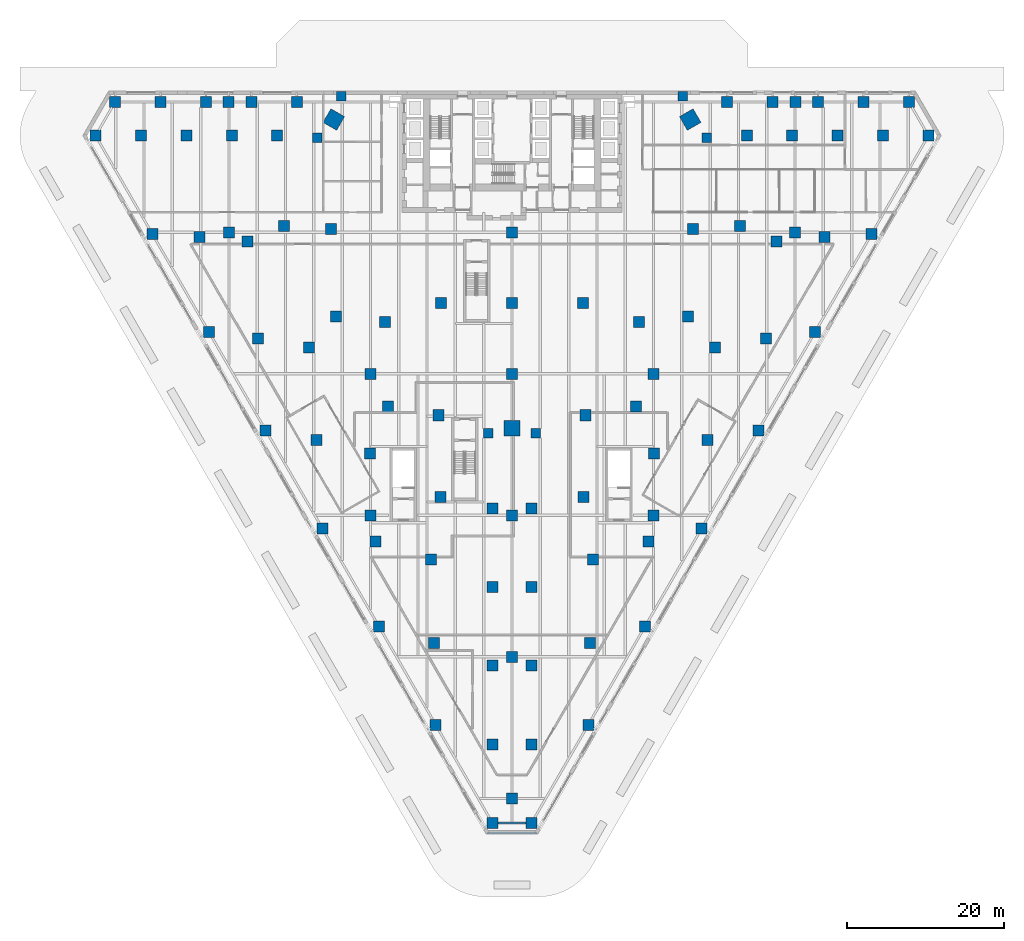
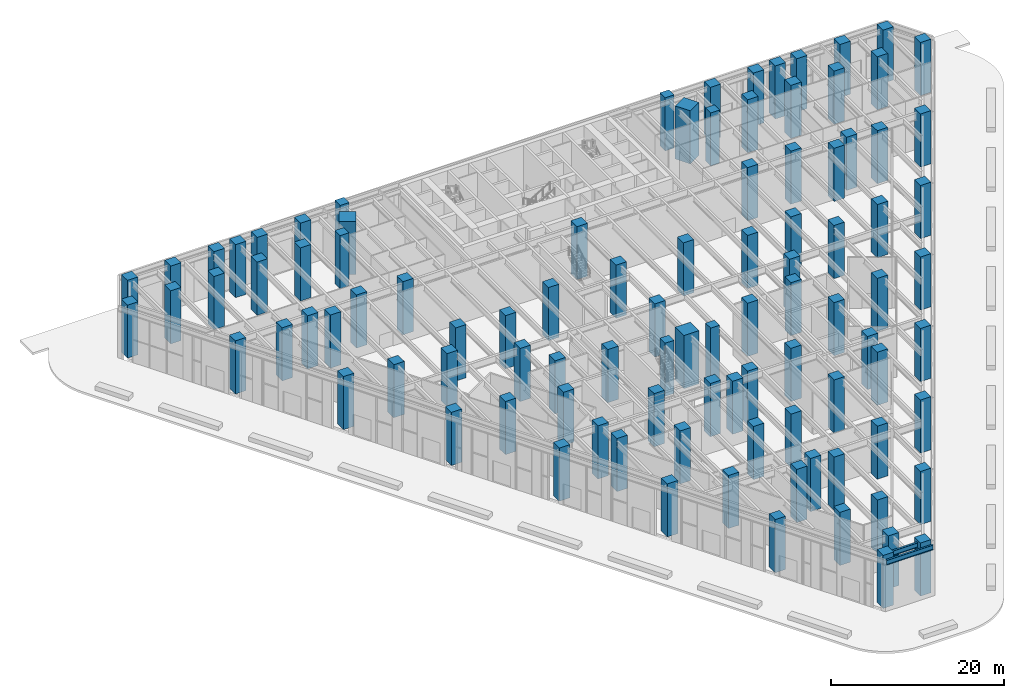
# One storey, part 1 of 37: 99 columns, 2 beams.
"""IFC4 building model written with IfcOpenShell, lengths in metres."""

import ifcopenshell
import ifcopenshell.guid

model = None  # the IFC model being written
_history = None  # IfcOwnerHistory: only IFC2X3 demands one
_inside = {}  # id of a spatial element -> (the spatial element, [elements in it])
_under = {}  # id of a project, library or spatial element -> (it, [spatial elements below it])
_declared = {}  # id of a project -> (the project, [libraries it declares])
_typed = {}  # id of a type object -> (the type object, [elements of that type])
_made_of = {}  # id of a material, layer set ... -> (it, [elements and type objects made of it])


def new_model(schema):
    """Start an empty IFC model of exactly this schema.

    Asked for "IFC4X3", IfcOpenShell would pick the latest addendum, in which some entities
    have other attributes; the version numbers below select the first issue.
    IFC2X3 requires an IfcOwnerHistory on every rooted entity: one is made here for all.
    """
    global model, _history
    if schema == "IFC4X3":
        model = ifcopenshell.file(schema_version=(4, 3, 0, 0))
    else:
        model = ifcopenshell.file(schema=schema)
    _inside.clear()
    _under.clear()
    _declared.clear()
    _typed.clear()
    _made_of.clear()
    _history = None
    if model.schema == "IFC2X3":
        org = make("IfcOrganization", Name="unknown")
        user = make(
            "IfcPersonAndOrganization",
            ThePerson=make("IfcPerson", FamilyName="unknown"),
            TheOrganization=org,
        )
        app = make(
            "IfcApplication",
            ApplicationDeveloper=org,
            Version="unknown",
            ApplicationFullName="unknown",
            ApplicationIdentifier="unknown",
        )
        _history = make(
            "IfcOwnerHistory",
            OwningUser=user,
            OwningApplication=app,
            ChangeAction="ADDED",
            CreationDate=0,
        )
    return model


def make(cls, **values):
    """One entity of the class cls with the attributes given. An attribute that is None is left unset."""
    return model.create_entity(
        cls, **{name: value for name, value in values.items() if value is not None}
    )


def rooted(cls, **values):
    """An entity with a GlobalId (a new one), such as an element, a storey or a relation."""
    return make(cls, GlobalId=ifcopenshell.guid.new(), OwnerHistory=_history, **values)


def si_unit(unit_type, name, prefix=None):
    """IfcSIUnit, for example si_unit("LENGTHUNIT", "METRE", prefix="MILLI")."""
    return make("IfcSIUnit", UnitType=unit_type, Prefix=prefix, Name=name)


def assignment(units):
    """IfcUnitAssignment: the units of a project."""
    return None if units is None else make("IfcUnitAssignment", Units=units)


def point(xyz):
    """IfcCartesianPoint."""
    return None if xyz is None else make("IfcCartesianPoint", Coordinates=xyz)


def direction(xyz):
    """IfcDirection."""
    return None if xyz is None else make("IfcDirection", DirectionRatios=xyz)


def frame(location, z_axis=None, x_axis=None):
    """IfcAxis2Placement3D, a coordinate frame: its origin and axes. An axis left out is left unset."""
    return make(
        "IfcAxis2Placement3D",
        Location=point(location),
        Axis=direction(z_axis),
        RefDirection=direction(x_axis),
    )


def frame_2d(location, x_axis=None):
    """IfcAxis2Placement2D, a coordinate frame in the plane: its origin and x axis."""
    return make(
        "IfcAxis2Placement2D", Location=point(location), RefDirection=direction(x_axis)
    )


def origin():
    """The frame at (0, 0, 0) with its axes left unset."""
    return frame((0.0, 0.0, 0.0))


def origin_2d():
    """The frame at (0, 0) in the plane with its x axis left unset."""
    return frame_2d((0.0, 0.0))


def place(relative_to, where):
    """IfcLocalPlacement: puts the frame where relative to a parent placement (None: the world)."""
    return make(
        "IfcLocalPlacement", PlacementRelTo=relative_to, RelativePlacement=where
    )


def context(
    kind, dimensions, precision=None, world=None, true_north=None, identifier=None
):
    """IfcGeometricRepresentationContext, for example the 3D "Model" context."""
    return make(
        "IfcGeometricRepresentationContext",
        ContextIdentifier=identifier,
        ContextType=kind,
        CoordinateSpaceDimension=dimensions,
        Precision=precision,
        WorldCoordinateSystem=world,
        TrueNorth=true_north,
    )


def subcontext(parent, identifier, kind, view, scale=None):
    """IfcGeometricRepresentationSubContext, for example "Body" below "Model"."""
    return make(
        "IfcGeometricRepresentationSubContext",
        ContextIdentifier=identifier,
        ContextType=kind,
        ParentContext=parent,
        TargetScale=scale,
        TargetView=view,
    )


def project(units=None, contexts=None):
    """IfcProject with its units and contexts."""
    return rooted(
        "IfcProject",
        Name="project",
        RepresentationContexts=contexts,
        UnitsInContext=assignment(units),
    )


def spatial(cls, under=None, at=None, **own):
    """A site, building, storey or space (cls), placed at a placement, below another one or the project."""
    s = rooted(cls, ObjectPlacement=at, **own)
    if under is not None:
        _under.setdefault(under.id(), (under, []))[1].append(s)
    return s


def profile(cls, at=None, kind="AREA", **sizes):
    """A parametric profile (cls). Its sizes go by their IFC names, for example OverallWidth=200.0."""
    return make(cls, ProfileType=kind, Position=at, **sizes)


def rectangle(**sizes):
    """IfcRectangleProfileDef."""
    return profile("IfcRectangleProfileDef", **sizes)


def i_section(**sizes):
    """IfcIShapeProfileDef."""
    return profile("IfcIShapeProfileDef", **sizes)


def extrude(swept, where, along, depth):
    """IfcExtrudedAreaSolid: the profile swept, set in the frame where, extruded along a direction by depth."""
    return make(
        "IfcExtrudedAreaSolid",
        SweptArea=swept,
        Position=where,
        ExtrudedDirection=direction(along),
        Depth=depth,
    )


def shape(context_of_items, identifier, shape_type, items):
    """IfcShapeRepresentation: the items that make up one representation, for example the "Body"."""
    return make(
        "IfcShapeRepresentation",
        ContextOfItems=context_of_items,
        RepresentationIdentifier=identifier,
        RepresentationType=shape_type,
        Items=items,
    )


def material(Name=None, Category=None):
    """IfcMaterial."""
    return make("IfcMaterial", Name=Name, Category=Category)


def material_profile(
    of_material, cross_section, Name=None, Category=None, Priority=None
):
    """IfcMaterialProfile: a cross section and its material."""
    return make(
        "IfcMaterialProfile",
        Name=Name,
        Material=of_material,
        Profile=cross_section,
        Priority=Priority,
        Category=Category,
    )


def profile_set(profiles, Name=None, composite=None):
    """IfcMaterialProfileSet."""
    return make(
        "IfcMaterialProfileSet",
        Name=Name,
        MaterialProfiles=profiles,
        CompositeProfile=composite,
    )


def made_of(thing, what):
    """Note that an element or type object is made of a material, layer set ...; save() writes the relation."""
    if what is not None:
        _made_of.setdefault(what.id(), (what, []))[1].append(thing)
    return thing


def type_object(cls, material=None, **own):
    """A type object (cls), such as IfcWallType, which elements share."""
    return made_of(rooted(cls, **own), material)


def element(
    cls,
    number,
    at=None,
    inside=None,
    cuts=None,
    type_object=None,
    material=None,
    context=None,
    identifier="Body",
    shape_type=None,
    held_by="IfcProductDefinitionShape",
    body=None,
    shapes=None,
    **own,
):
    """One element of the class cls, such as IfcWall. Its Tag is "e" and its number.

    at: its placement. inside: the storey or other place that contains it. cuts: it is an
    opening in that element (IfcRelVoidsElement). A single representation is given by context,
    identifier, shape_type and body (its items); several are given by shapes. held_by: the class
    of the entity that holds the representations. save() writes the other relations.
    """
    e = rooted(cls, Tag="e%d" % number, ObjectPlacement=at, **own)
    if body is not None:
        shapes = [shape(context, identifier, shape_type, body)]
    if shapes is not None:
        e.Representation = make(held_by, Representations=shapes)
    if inside is not None:
        _inside.setdefault(inside.id(), (inside, []))[1].append(e)
    if cuts is not None:
        rooted(
            "IfcRelVoidsElement", RelatingBuildingElement=cuts, RelatedOpeningElement=e
        )
    if type_object is not None:
        _typed.setdefault(type_object.id(), (type_object, []))[1].append(e)
    return made_of(e, material)


def aggregate(whole, parts):
    """IfcRelAggregates: a whole, such as a stair, and the parts it consists of."""
    return rooted("IfcRelAggregates", RelatingObject=whole, RelatedObjects=parts)


def save(model, path):
    """Write the relations noted so far, then the file.

    IfcRelAggregates (storeys below a building ...), IfcRelContainedInSpatialStructure (elements
    in a storey), IfcRelDefinesByType, IfcRelAssociatesMaterial and IfcRelDeclares: one each for
    every whole, place, type object, material and project.
    """
    for whole, parts in _under.values():
        aggregate(whole, parts)
    for where, things in _inside.values():
        rooted(
            "IfcRelContainedInSpatialStructure",
            RelatedElements=things,
            RelatingStructure=where,
        )
    for kind, things in _typed.values():
        rooted("IfcRelDefinesByType", RelatedObjects=things, RelatingType=kind)
    for what, things in _made_of.values():
        rooted("IfcRelAssociatesMaterial", RelatedObjects=things, RelatingMaterial=what)
    for by, libraries in _declared.values():
        rooted("IfcRelDeclares", RelatingContext=by, RelatedDefinitions=libraries)
    model.write(path)


model = new_model("IFC4")

# Units and contexts
model_context = context("Model", 3, precision=1e-05, world=origin(), true_north=direction((0.0, 1.0)))
body_context = subcontext(model_context, "Body", "Model", "MODEL_VIEW")
ifc_project = project(units=[si_unit("LENGTHUNIT", "METRE"), si_unit("AREAUNIT", "SQUARE_METRE"), si_unit("VOLUMEUNIT", "CUBIC_METRE"), si_unit("PLANEANGLEUNIT", "RADIAN"), si_unit("MASSUNIT", "GRAM", prefix="KILO")], contexts=[model_context])

# Site, building, storey
site_placement = place(None, origin())
site = spatial("IfcSite", under=ifc_project, at=site_placement, CompositionType="ELEMENT")
building_placement = place(site_placement, origin())
building = spatial("IfcBuilding", under=site, at=building_placement, Name="Aloe Facet Convention Tower", CompositionType="ELEMENT")
storey_placement = place(building_placement, origin())
storey = spatial("IfcBuildingStorey", under=building, at=storey_placement, Name="L00", CompositionType="ELEMENT", Elevation=0.0)

# Columns
ifc_material_1 = material(Name="Concrete C60/75", Category="concrete")
ifc_material_profile_1 = material_profile(ifc_material_1, rectangle(XDim=1.39990234375, YDim=1.39990234375, at=origin_2d()), Name="SF-PC-1400")
ifc_profile_set_1 = profile_set([ifc_material_profile_1], Name="Concrete C60/75")
column_type_1 = type_object("IfcColumnType", Name="SF-PC-1400", PredefinedType="COLUMN", material=ifc_profile_set_1)
for number, where, z_axis, x_axis, name in (
    (1, (89.0, 108.0, 0.0), (0.0, 0.0, 1.0), (1.0, 0.0, 0.0), "Podium column PC-10D"),
    (2, (98.0, 99.0, 0.0), (0.0, 0.0, 1.0), (1.0, 0.0, 0.0), "Podium column PC-11E"),
    (3, (98.0, 81.0, 0.0), (0.0, 0.0, 1.0), (1.0, 0.0, 0.0), "Podium column PC-11G"),
    (4, (116.0, 117.0, 0.0), (0.0, 0.0, 1.0), (1.0, 0.0, 0.0), "Podium column PC-13C"),
    (5, (44.0, 117.0, 0.0), (0.0, 0.0, 1.0), (1.0, 0.0, 0.0), "Podium column PC-5C"),
    (6, (62.0, 99.0, 0.0), (0.0, 0.0, 1.0), (1.0, 0.0, 0.0), "Podium column PC-7E"),
    (7, (62.0, 81.0, 0.0), (0.0, 0.0, 1.0), (1.0, 0.0, 0.0), "Podium column PC-7G"),
    (8, (71.0, 108.0, 0.0), (0.0, 0.0, 1.0), (1.0, 0.0, 0.0), "Podium column PC-8D"),
    (9, (80.0, 117.0, 0.0), (0.0, 0.0, 1.0), (1.0, 0.0, 0.0), "Podium column PC-9C"),
    (10, (80.0, 108.0, 0.0), (0.0, 0.0, 1.0), (1.0, 0.0, 0.0), "Podium column PC-9D"),
    (11, (80.0, 99.0, 0.0), (0.0, 0.0, 1.0), (1.0, 0.0, 0.0), "Podium column PC-9E"),
    (12, (80.0, 81.0, 0.0), (0.0, 0.0, 1.0), (1.0, 0.0, 0.0), "Podium column PC-9G"),
    (13, (80.0, 63.0, 0.0), (0.0, 0.0, 1.0), (1.0, 0.0, 0.0), "Podium column PC-9J"),
    (14, (80.0, 45.0, 0.0), (0.0, 0.0, 1.0), (1.0, 0.0, 0.0), "Podium column PC-9L"),
    (15, (102.375, 106.324951171875, 0.0), (0.0, 0.0, 1.0), (1.0, 0.0, 0.0), "Podium column PE-102-106"),
    (16, (103.01611328125, 117.43505859375, 0.0), (0.0, 0.0, 1.0), (1.0, 0.0, 0.0), "Podium column PE-103-117"),
    (17, (104.116943359375, 79.343017578125, 0.0), (0.0, 0.0, 1.0), (1.0, 0.0, 0.0), "Podium column PE-104-79"),
    (18, (104.8349609375, 90.5849609375, 0.0), (0.0, 0.0, 1.0), (1.0, 0.0, 0.0), "Podium column PE-105-91"),
    (19, (105.839111328125, 102.324951171875, 0.0), (0.0, 0.0, 1.0), (1.0, 0.0, 0.0), "Podium column PE-106-102"),
    (20, (107.364990234375, 133.60009765625, 0.0), (0.0, 0.0, 1.0), (1.0, 0.0, 0.0), "Podium column PE-107-134"),
    (21, (109.0029296875, 117.804931640625, 0.0), (0.0, 0.0, 1.0), (1.0, 0.0, 0.0), "Podium column PE-109-118"),
    (22, (109.85693359375, 129.283935546875, 0.0), (0.0, 0.0, 1.0), (1.0, 0.0, 0.0), "Podium column PE-110-129"),
    (23, (111.325927734375, 91.827880859375, 0.0), (0.0, 0.0, 1.0), (1.0, 0.0, 0.0), "Podium column PE-111-92"),
    (24, (112.281982421875, 103.485107421875, 0.0), (0.0, 0.0, 1.0), (1.0, 0.0, 0.0), "Podium column PE-112-103"),
    (25, (113.138916015625, 133.60009765625, 0.0), (0.0, 0.0, 1.0), (1.0, 0.0, 0.0), "Podium column PE-113-134"),
    (26, (113.62109375, 115.804931640625, 0.0), (0.0, 0.0, 1.0), (1.0, 0.0, 0.0), "Podium column PE-114-116"),
    (27, (115.6298828125, 129.283935546875, 0.0), (0.0, 0.0, 1.0), (1.0, 0.0, 0.0), "Podium column PE-116-129"),
    (28, (116.0419921875, 133.60009765625, 0.0), (0.0, 0.0, 1.0), (1.0, 0.0, 0.0), "Podium column PE-116-134"),
    (29, (118.533935546875, 104.31298828125, 0.0), (0.0, 0.0, 1.0), (1.0, 0.0, 0.0), "Podium column PE-119-104"),
    (30, (118.912109375, 133.60009765625, 0.0), (0.0, 0.0, 1.0), (1.0, 0.0, 0.0), "Podium column PE-119-134"),
    (31, (119.72998046875, 116.385009765625, 0.0), (0.0, 0.0, 1.0), (1.0, 0.0, 0.0), "Podium column PE-120-116"),
    (32, (121.404052734375, 129.283935546875, 0.0), (0.0, 0.0, 1.0), (1.0, 0.0, 0.0), "Podium column PE-121-129"),
    (33, (124.68603515625, 133.60009765625, 0.0), (0.0, 0.0, 1.0), (1.0, 0.0, 0.0), "Podium column PE-125-134"),
    (34, (125.741943359375, 116.799072265625, 0.0), (0.0, 0.0, 1.0), (1.0, 0.0, 0.0), "Podium column PE-126-117"),
    (35, (127.177001953125, 129.283935546875, 0.0), (0.0, 0.0, 1.0), (1.0, 0.0, 0.0), "Podium column PE-127-129"),
    (36, (130.458984375, 133.60009765625, 0.0), (0.0, 0.0, 1.0), (1.0, 0.0, 0.0), "Podium column PE-130-134"),
    (37, (132.950927734375, 129.283935546875, 0.0), (0.0, 0.0, 1.0), (1.0, 0.0, 0.0), "Podium column PE-133-129"),
    (38, (27.049072265625, 129.283935546875, 0.0), (0.0, 0.0, 1.0), (1.0, 0.0, 0.0), "Podium column PE-27-129"),
    (39, (29.541015625, 133.60009765625, 0.0), (0.0, 0.0, 1.0), (1.0, 0.0, 0.0), "Podium column PE-30-134"),
    (40, (32.822998046875, 129.283935546875, 0.0), (0.0, 0.0, 1.0), (1.0, 0.0, 0.0), "Podium column PE-33-129"),
    (41, (34.258056640625, 116.799072265625, 0.0), (0.0, 0.0, 1.0), (1.0, 0.0, 0.0), "Podium column PE-34-117"),
    (42, (35.31396484375, 133.60009765625, 0.0), (0.0, 0.0, 1.0), (1.0, 0.0, 0.0), "Podium column PE-35-134"),
    (43, (38.595947265625, 129.283935546875, 0.0), (0.0, 0.0, 1.0), (1.0, 0.0, 0.0), "Podium column PE-39-129"),
    (44, (40.27001953125, 116.385009765625, 0.0), (0.0, 0.0, 1.0), (1.0, 0.0, 0.0), "Podium column PE-40-116"),
    (45, (41.466064453125, 104.31298828125, 0.0), (0.0, 0.0, 1.0), (1.0, 0.0, 0.0), "Podium column PE-41-104"),
    (46, (41.087890625, 133.60009765625, 0.0), (0.0, 0.0, 1.0), (1.0, 0.0, 0.0), "Podium column PE-41-134"),
    (47, (44.3701171875, 129.283935546875, 0.0), (0.0, 0.0, 1.0), (1.0, 0.0, 0.0), "Podium column PE-44-129"),
    (48, (43.9580078125, 133.60009765625, 0.0), (0.0, 0.0, 1.0), (1.0, 0.0, 0.0), "Podium column PE-44-134"),
    (49, (46.37890625, 115.804931640625, 0.0), (0.0, 0.0, 1.0), (1.0, 0.0, 0.0), "Podium column PE-46-116"),
    (50, (46.861083984375, 133.60009765625, 0.0), (0.0, 0.0, 1.0), (1.0, 0.0, 0.0), "Podium column PE-47-134"),
    (51, (47.718017578125, 103.485107421875, 0.0), (0.0, 0.0, 1.0), (1.0, 0.0, 0.0), "Podium column PE-48-103"),
    (52, (48.674072265625, 91.827880859375, 0.0), (0.0, 0.0, 1.0), (1.0, 0.0, 0.0), "Podium column PE-49-92"),
    (53, (50.14306640625, 129.283935546875, 0.0), (0.0, 0.0, 1.0), (1.0, 0.0, 0.0), "Podium column PE-50-129"),
    (54, (50.9970703125, 117.804931640625, 0.0), (0.0, 0.0, 1.0), (1.0, 0.0, 0.0), "Podium column PE-51-118"),
    (55, (52.635009765625, 133.60009765625, 0.0), (0.0, 0.0, 1.0), (1.0, 0.0, 0.0), "Podium column PE-53-134"),
    (56, (54.160888671875, 102.324951171875, 0.0), (0.0, 0.0, 1.0), (1.0, 0.0, 0.0), "Podium column PE-54-102"),
    (57, (55.1650390625, 90.5849609375, 0.0), (0.0, 0.0, 1.0), (1.0, 0.0, 0.0), "Podium column PE-55-91"),
    (58, (55.883056640625, 79.343017578125, 0.0), (0.0, 0.0, 1.0), (1.0, 0.0, 0.0), "Podium column PE-56-79"),
    (59, (56.98388671875, 117.43505859375, 0.0), (0.0, 0.0, 1.0), (1.0, 0.0, 0.0), "Podium column PE-57-117"),
    (60, (57.625, 106.324951171875, 0.0), (0.0, 0.0, 1.0), (1.0, 0.0, 0.0), "Podium column PE-58-106"),
    (61, (61.943115234375, 88.844970703125, 0.0), (0.0, 0.0, 1.0), (1.0, 0.0, 0.0), "Podium column PE-62-89"),
    (62, (63.091064453125, 66.85693359375, 0.0), (0.0, 0.0, 1.0), (1.0, 0.0, 0.0), "Podium column PE-63-67"),
    (63, (62.613037109375, 77.68603515625, 0.0), (0.0, 0.0, 1.0), (1.0, 0.0, 0.0), "Podium column PE-63-78"),
    (64, (63.825927734375, 105.5849609375, 0.0), (0.0, 0.0, 1.0), (1.0, 0.0, 0.0), "Podium column PE-64-106"),
    (65, (64.2529296875, 94.844970703125, 0.0), (0.0, 0.0, 1.0), (1.0, 0.0, 0.0), "Podium column PE-64-95"),
    (66, (70.300048828125, 54.3720703125, 0.0), (0.0, 0.0, 1.0), (1.0, 0.0, 0.0), "Podium column PE-70-54"),
    (67, (70.06103515625, 64.785888671875, 0.0), (0.0, 0.0, 1.0), (1.0, 0.0, 0.0), "Podium column PE-70-65"),
    (68, (69.72607421875, 75.365966796875, 0.0), (0.0, 0.0, 1.0), (1.0, 0.0, 0.0), "Podium column PE-70-75"),
    (69, (70.881103515625, 83.365966796875, 0.0), (0.0, 0.0, 1.0), (1.0, 0.0, 0.0), "Podium column PE-71-83"),
    (70, (70.6669921875, 93.736083984375, 0.0), (0.0, 0.0, 1.0), (1.0, 0.0, 0.0), "Podium column PE-71-94"),
    (71, (77.508056640625, 41.885986328125, 0.0), (0.0, 0.0, 1.0), (1.0, 0.0, 0.0), "Podium column PE-78-42"),
    (72, (77.508056640625, 51.885986328125, 0.0), (0.0, 0.0, 1.0), (1.0, 0.0, 0.0), "Podium column PE-78-52"),
    (73, (77.508056640625, 61.885986328125, 0.0), (0.0, 0.0, 1.0), (1.0, 0.0, 0.0), "Podium column PE-78-62"),
    (74, (77.508056640625, 71.885986328125, 0.0), (0.0, 0.0, 1.0), (1.0, 0.0, 0.0), "Podium column PE-78-72"),
    (75, (77.508056640625, 81.885986328125, 0.0), (0.0, 0.0, 1.0), (1.0, 0.0, 0.0), "Podium column PE-78-82"),
    (76, (82.491943359375, 41.885986328125, 0.0), (0.0, 0.0, 1.0), (1.0, 0.0, 0.0), "Podium column PE-82-42"),
    (77, (82.491943359375, 51.885986328125, 0.0), (0.0, 0.0, 1.0), (1.0, 0.0, 0.0), "Podium column PE-82-52"),
    (78, (82.491943359375, 61.885986328125, 0.0), (0.0, 0.0, 1.0), (1.0, 0.0, 0.0), "Podium column PE-82-62"),
    (79, (82.491943359375, 71.885986328125, 0.0), (0.0, 0.0, 1.0), (1.0, 0.0, 0.0), "Podium column PE-82-72"),
    (80, (82.491943359375, 81.885986328125, 0.0), (0.0, 0.0, 1.0), (1.0, 0.0, 0.0), "Podium column PE-82-82"),
    (81, (89.118896484375, 83.365966796875, 0.0), (0.0, 0.0, 1.0), (1.0, 0.0, 0.0), "Podium column PE-89-83"),
    (82, (89.3330078125, 93.736083984375, 0.0), (0.0, 0.0, 1.0), (1.0, 0.0, 0.0), "Podium column PE-89-94"),
    (83, (89.699951171875, 54.3720703125, 0.0), (0.0, 0.0, 1.0), (1.0, 0.0, 0.0), "Podium column PE-90-54"),
    (84, (89.93896484375, 64.785888671875, 0.0), (0.0, 0.0, 1.0), (1.0, 0.0, 0.0), "Podium column PE-90-65"),
    (85, (90.27392578125, 75.365966796875, 0.0), (0.0, 0.0, 1.0), (1.0, 0.0, 0.0), "Podium column PE-90-75"),
    (86, (96.174072265625, 105.5849609375, 0.0), (0.0, 0.0, 1.0), (1.0, 0.0, 0.0), "Podium column PE-96-106"),
    (87, (95.7470703125, 94.844970703125, 0.0), (0.0, 0.0, 1.0), (1.0, 0.0, 0.0), "Podium column PE-96-95"),
    (88, (96.908935546875, 66.85693359375, 0.0), (0.0, 0.0, 1.0), (1.0, 0.0, 0.0), "Podium column PE-97-67"),
    (89, (97.386962890625, 77.68603515625, 0.0), (0.0, 0.0, 1.0), (1.0, 0.0, 0.0), "Podium column PE-97-78"),
    (90, (98.056884765625, 88.844970703125, 0.0), (0.0, 0.0, 1.0), (1.0, 0.0, 0.0), "Podium column PE-98-89"),
):
    element("IfcColumn", number, at=place(storey_placement, frame(where, z_axis=z_axis, x_axis=x_axis)), inside=storey, type_object=column_type_1, Name=name, PredefinedType="COLUMN", context=body_context, shape_type="SweptSolid", body=[
        extrude(rectangle(XDim=1.39990234375, YDim=1.39990234375, at=origin_2d()), origin(), (0.0, 0.0, 1.0), 7.5),
    ])
ifc_material_2 = material(Name="Concrete C60/75", Category="concrete")
ifc_material_profile_2 = material_profile(ifc_material_2, rectangle(XDim=1.199951171875, YDim=1.199951171875, at=origin_2d()), Name="SF-PR-1200")
ifc_profile_set_2 = profile_set([ifc_material_profile_2], Name="Concrete C60/75")
column_type_2 = type_object("IfcColumnType", Name="SF-PR-1200", PredefinedType="COLUMN", material=ifc_profile_set_2)
for number, where, z_axis, x_axis, name in (
    (91, (55.256103515625, 129.028076171875, 0.0), (0.0, 0.0, 1.0), (1.0, 0.0, 0.0), "Podium column PR-01-55-129"),
    (92, (58.300048828125, 134.300048828125, 0.0), (0.0, 0.0, 1.0), (1.0, 0.0, 0.0), "Podium column PR-02-58-134"),
    (93, (76.956298828125, 91.4423828125, 0.0), (0.0, 0.0, 1.0), (1.0, 0.0, 0.0), "Podium column PR-03-77-91"),
    (94, (83.043701171875, 91.4423828125, 0.0), (0.0, 0.0, 1.0), (1.0, 0.0, 0.0), "Podium column PR-04-83-91"),
    (95, (101.699951171875, 134.300048828125, 0.0), (0.0, 0.0, 1.0), (1.0, 0.0, 0.0), "Podium column PR-05-102-134"),
    (96, (104.743896484375, 129.028076171875, 0.0), (0.0, 0.0, 1.0), (1.0, 0.0, 0.0), "Podium column PR-06-105-129"),
):
    element("IfcColumn", number, at=place(storey_placement, frame(where, z_axis=z_axis, x_axis=x_axis)), inside=storey, type_object=column_type_2, Name=name, PredefinedType="COLUMN", context=body_context, shape_type="SweptSolid", body=[
        extrude(rectangle(XDim=1.199951171875, YDim=1.199951171875, at=origin_2d()), origin(), (0.0, 0.0, 1.0), 7.5),
    ])
ifc_material_3 = material(Name="Concrete C80/95", Category="concrete")
ifc_material_profile_3 = material_profile(ifc_material_3, rectangle(XDim=2.0, YDim=2.0, at=origin_2d()), Name="STW-MC-Z1")
ifc_profile_set_3 = profile_set([ifc_material_profile_3], Name="Concrete C80/95")
column_type_3 = type_object("IfcColumnType", Name="STW-MC-Z1", PredefinedType="COLUMN", material=ifc_profile_set_3)
for number, where, z_axis, x_axis, name in (
    (97, (102.664306640625, 131.342041015625, 0.0), (0.0, 0.0, 1.0), (-0.5, 0.866025403784, 0.0), "Mega-column MC-NE-L00"),
    (98, (57.335693359375, 131.342041015625, 0.0), (0.0, 0.0, 1.0), (-0.5, -0.866025403784, 0.0), "Mega-column MC-NW-L00"),
    (99, (80.0, 92.086181640625, 0.0), (0.0, 0.0, 1.0), (1.0, 0.0, 0.0), "Mega-column MC-S-L00"),
):
    element("IfcColumn", number, at=place(storey_placement, frame(where, z_axis=z_axis, x_axis=x_axis)), inside=storey, type_object=column_type_3, Name=name, PredefinedType="COLUMN", context=body_context, shape_type="SweptSolid", body=[
        extrude(rectangle(XDim=2.0, YDim=2.0, at=origin_2d()), origin(), (0.0, 0.0, 1.0), 7.5),
    ])

# Beams
ifc_material_4 = material(Name="Steel S355", Category="steel")
ifc_material_profile_4 = material_profile(ifc_material_4, i_section(OverallWidth=0.25439453125, OverallDepth=0.6875, WebThickness=0.01318359375, FlangeThickness=0.02099609375, FilletRadius=0.01513671875, at=origin_2d()), Name="UB 686x254x152")
ifc_profile_set_4 = profile_set([ifc_material_profile_4], Name="Steel S355")
beam_type_1 = type_object("IfcBeamType", Name="EV-EB-UB686x254x152", PredefinedType="BEAM", material=ifc_profile_set_4)
beam_1_placement = place(storey_placement, frame((76.89501953125, 40.598876953125, 6.856201171875), z_axis=(1.0, 0.0, 0.0), x_axis=(0.0, 1.0, 0.0)))
element("IfcBeam", 100, at=beam_1_placement, inside=storey, type_object=beam_type_1, Name="EB-L01-B", PredefinedType="BEAM", context=body_context, shape_type="SweptSolid", body=[
    extrude(i_section(OverallWidth=0.25439453125, OverallDepth=0.6875, WebThickness=0.01318359375, FlangeThickness=0.02099609375, FilletRadius=0.01513671875, at=origin_2d()), origin(), (0.0, 0.0, 1.0), 6.2099609375),
])
ifc_material_5 = material(Name="Steel S355", Category="steel")
ifc_material_profile_5 = material_profile(ifc_material_5, i_section(OverallWidth=0.25439453125, OverallDepth=0.6875, WebThickness=0.01318359375, FlangeThickness=0.02099609375, FilletRadius=0.01513671875, at=origin_2d()), Name="UB 686x254x152")
ifc_profile_set_5 = profile_set([ifc_material_profile_5], Name="Steel S355")
beam_type_2 = type_object("IfcBeamType", Name="SF-B-UB686x254x152", PredefinedType="BEAM", material=ifc_profile_set_5)
beam_2_placement = place(storey_placement, frame((81.7919921875, 41.88623046875, 6.856201171875), z_axis=(-1.0, 0.0, 0.0), x_axis=(0.0, -1.0, 0.0)))
element("IfcBeam", 101, at=beam_2_placement, inside=storey, type_object=beam_type_2, Name="Floor beam FB-L01-015", PredefinedType="BEAM", context=body_context, shape_type="SweptSolid", body=[
    extrude(i_section(OverallWidth=0.25439453125, OverallDepth=0.6875, WebThickness=0.01318359375, FlangeThickness=0.02099609375, FilletRadius=0.01513671875, at=origin_2d()), origin(), (0.0, 0.0, 1.0), 3.583984375),
])

save(model, "model.ifc")
